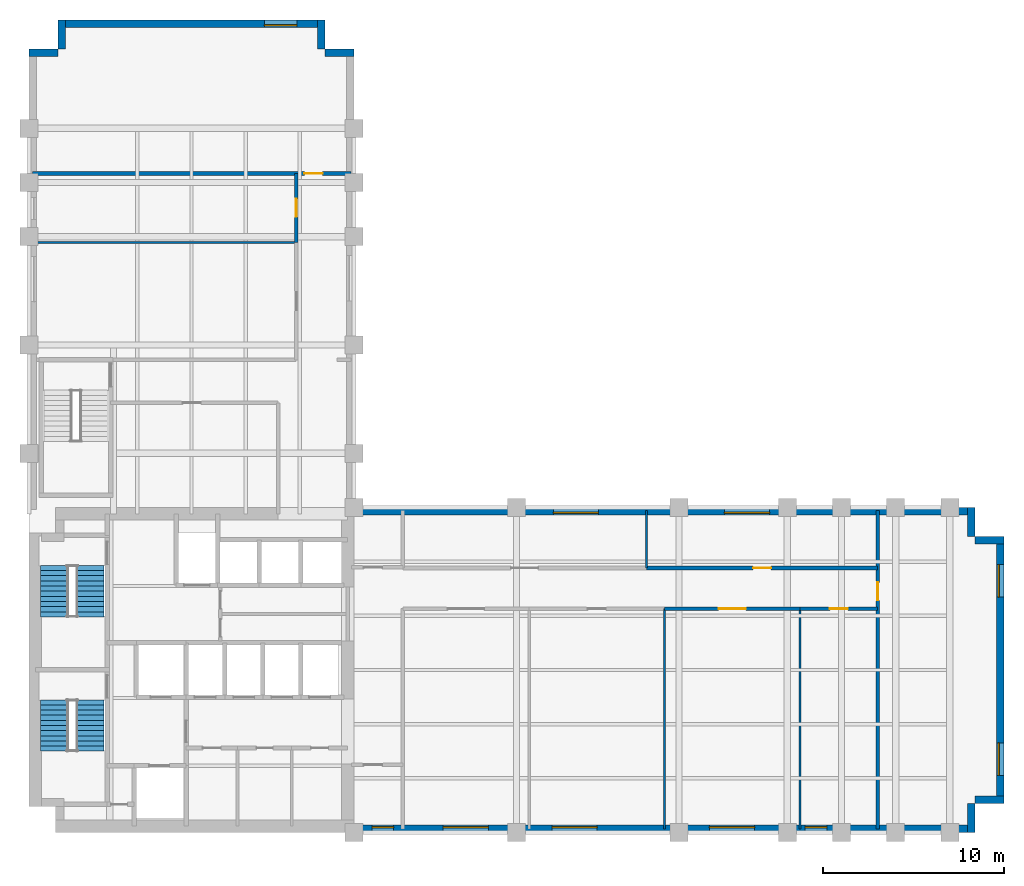
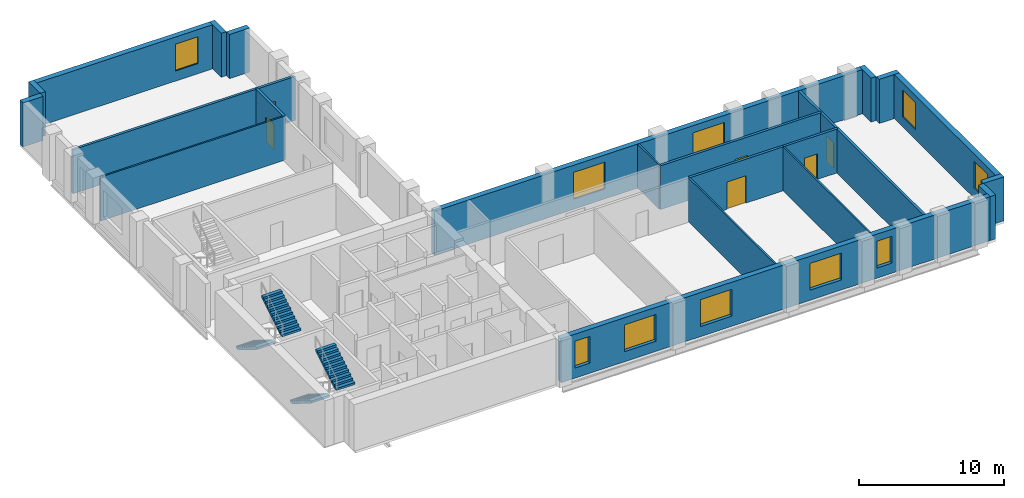
# One storey, part 5 of 7: 22 walls, 10 windows, 6 doors, 4 stair flights, 16 openings, 2 elements without a shape of their own.
"""IFC4 building model written with IfcOpenShell, lengths in metres."""

import ifcopenshell
import ifcopenshell.guid

model = None  # the IFC model being written
_history = None  # IfcOwnerHistory: only IFC2X3 demands one
_inside = {}  # id of a spatial element -> (the spatial element, [elements in it])
_under = {}  # id of a project, library or spatial element -> (it, [spatial elements below it])
_declared = {}  # id of a project -> (the project, [libraries it declares])
_typed = {}  # id of a type object -> (the type object, [elements of that type])
_made_of = {}  # id of a material, layer set ... -> (it, [elements and type objects made of it])


def new_model(schema):
    """Start an empty IFC model of exactly this schema.

    Asked for "IFC4X3", IfcOpenShell would pick the latest addendum, in which some entities
    have other attributes; the version numbers below select the first issue.
    IFC2X3 requires an IfcOwnerHistory on every rooted entity: one is made here for all.
    """
    global model, _history
    if schema == "IFC4X3":
        model = ifcopenshell.file(schema_version=(4, 3, 0, 0))
    else:
        model = ifcopenshell.file(schema=schema)
    _inside.clear()
    _under.clear()
    _declared.clear()
    _typed.clear()
    _made_of.clear()
    _history = None
    if model.schema == "IFC2X3":
        org = make("IfcOrganization", Name="unknown")
        user = make(
            "IfcPersonAndOrganization",
            ThePerson=make("IfcPerson", FamilyName="unknown"),
            TheOrganization=org,
        )
        app = make(
            "IfcApplication",
            ApplicationDeveloper=org,
            Version="unknown",
            ApplicationFullName="unknown",
            ApplicationIdentifier="unknown",
        )
        _history = make(
            "IfcOwnerHistory",
            OwningUser=user,
            OwningApplication=app,
            ChangeAction="ADDED",
            CreationDate=0,
        )
    return model


def make(cls, **values):
    """One entity of the class cls with the attributes given. An attribute that is None is left unset."""
    return model.create_entity(
        cls, **{name: value for name, value in values.items() if value is not None}
    )


def rooted(cls, **values):
    """An entity with a GlobalId (a new one), such as an element, a storey or a relation."""
    return make(cls, GlobalId=ifcopenshell.guid.new(), OwnerHistory=_history, **values)


def si_unit(unit_type, name, prefix=None):
    """IfcSIUnit, for example si_unit("LENGTHUNIT", "METRE", prefix="MILLI")."""
    return make("IfcSIUnit", UnitType=unit_type, Prefix=prefix, Name=name)


def assignment(units):
    """IfcUnitAssignment: the units of a project."""
    return None if units is None else make("IfcUnitAssignment", Units=units)


def point(xyz):
    """IfcCartesianPoint."""
    return None if xyz is None else make("IfcCartesianPoint", Coordinates=xyz)


def direction(xyz):
    """IfcDirection."""
    return None if xyz is None else make("IfcDirection", DirectionRatios=xyz)


def frame(location, z_axis=None, x_axis=None):
    """IfcAxis2Placement3D, a coordinate frame: its origin and axes. An axis left out is left unset."""
    return make(
        "IfcAxis2Placement3D",
        Location=point(location),
        Axis=direction(z_axis),
        RefDirection=direction(x_axis),
    )


def frame_2d(location, x_axis=None):
    """IfcAxis2Placement2D, a coordinate frame in the plane: its origin and x axis."""
    return make(
        "IfcAxis2Placement2D", Location=point(location), RefDirection=direction(x_axis)
    )


def origin():
    """The frame at (0, 0, 0) with its axes left unset."""
    return frame((0.0, 0.0, 0.0))


def place(relative_to, where):
    """IfcLocalPlacement: puts the frame where relative to a parent placement (None: the world)."""
    return make(
        "IfcLocalPlacement", PlacementRelTo=relative_to, RelativePlacement=where
    )


def context(
    kind, dimensions, precision=None, world=None, true_north=None, identifier=None
):
    """IfcGeometricRepresentationContext, for example the 3D "Model" context."""
    return make(
        "IfcGeometricRepresentationContext",
        ContextIdentifier=identifier,
        ContextType=kind,
        CoordinateSpaceDimension=dimensions,
        Precision=precision,
        WorldCoordinateSystem=world,
        TrueNorth=true_north,
    )


def subcontext(parent, identifier, kind, view, scale=None):
    """IfcGeometricRepresentationSubContext, for example "Body" below "Model"."""
    return make(
        "IfcGeometricRepresentationSubContext",
        ContextIdentifier=identifier,
        ContextType=kind,
        ParentContext=parent,
        TargetScale=scale,
        TargetView=view,
    )


def project(units=None, contexts=None):
    """IfcProject with its units and contexts."""
    return rooted(
        "IfcProject",
        Name="project",
        RepresentationContexts=contexts,
        UnitsInContext=assignment(units),
    )


def spatial(cls, under=None, at=None, **own):
    """A site, building, storey or space (cls), placed at a placement, below another one or the project."""
    s = rooted(cls, ObjectPlacement=at, **own)
    if under is not None:
        _under.setdefault(under.id(), (under, []))[1].append(s)
    return s


def polyline(points):
    """IfcPolyline through the points."""
    return make("IfcPolyline", Points=[point(p) for p in points])


def profile(cls, at=None, kind="AREA", **sizes):
    """A parametric profile (cls). Its sizes go by their IFC names, for example OverallWidth=200.0."""
    return make(cls, ProfileType=kind, Position=at, **sizes)


def rectangle(**sizes):
    """IfcRectangleProfileDef."""
    return profile("IfcRectangleProfileDef", **sizes)


def outline(outer, holes=None, kind="AREA"):
    """IfcArbitraryClosedProfileDef: a profile drawn as a closed curve; with holes, ...WithVoids."""
    if holes is None:
        return make("IfcArbitraryClosedProfileDef", ProfileType=kind, OuterCurve=outer)
    return make(
        "IfcArbitraryProfileDefWithVoids",
        ProfileType=kind,
        OuterCurve=outer,
        InnerCurves=holes,
    )


def extrude(swept, where, along, depth):
    """IfcExtrudedAreaSolid: the profile swept, set in the frame where, extruded along a direction by depth."""
    return make(
        "IfcExtrudedAreaSolid",
        SweptArea=swept,
        Position=where,
        ExtrudedDirection=direction(along),
        Depth=depth,
    )


def shape(context_of_items, identifier, shape_type, items):
    """IfcShapeRepresentation: the items that make up one representation, for example the "Body"."""
    return make(
        "IfcShapeRepresentation",
        ContextOfItems=context_of_items,
        RepresentationIdentifier=identifier,
        RepresentationType=shape_type,
        Items=items,
    )


def material(Name=None, Category=None):
    """IfcMaterial."""
    return make("IfcMaterial", Name=Name, Category=Category)


def layer(
    of_material, thickness, ventilated=None, Name=None, Category=None, Priority=None
):
    """IfcMaterialLayer: one layer of a wall or slab, of a material (None: an air gap)."""
    return make(
        "IfcMaterialLayer",
        Material=of_material,
        LayerThickness=thickness,
        IsVentilated=ventilated,
        Name=Name,
        Category=Category,
        Priority=Priority,
    )


def layer_set(layers, Name=None):
    """IfcMaterialLayerSet."""
    return make("IfcMaterialLayerSet", MaterialLayers=layers, LayerSetName=Name)


def made_of(thing, what):
    """Note that an element or type object is made of a material, layer set ...; save() writes the relation."""
    if what is not None:
        _made_of.setdefault(what.id(), (what, []))[1].append(thing)
    return thing


def type_object(cls, material=None, **own):
    """A type object (cls), such as IfcWallType, which elements share."""
    return made_of(rooted(cls, **own), material)


def element(
    cls,
    number,
    at=None,
    inside=None,
    cuts=None,
    type_object=None,
    material=None,
    context=None,
    identifier="Body",
    shape_type=None,
    held_by="IfcProductDefinitionShape",
    body=None,
    shapes=None,
    **own,
):
    """One element of the class cls, such as IfcWall. Its Tag is "e" and its number.

    at: its placement. inside: the storey or other place that contains it. cuts: it is an
    opening in that element (IfcRelVoidsElement). A single representation is given by context,
    identifier, shape_type and body (its items); several are given by shapes. held_by: the class
    of the entity that holds the representations. save() writes the other relations.
    """
    e = rooted(cls, Tag="e%d" % number, ObjectPlacement=at, **own)
    if body is not None:
        shapes = [shape(context, identifier, shape_type, body)]
    if shapes is not None:
        e.Representation = make(held_by, Representations=shapes)
    if inside is not None:
        _inside.setdefault(inside.id(), (inside, []))[1].append(e)
    if cuts is not None:
        rooted(
            "IfcRelVoidsElement", RelatingBuildingElement=cuts, RelatedOpeningElement=e
        )
    if type_object is not None:
        _typed.setdefault(type_object.id(), (type_object, []))[1].append(e)
    return made_of(e, material)


def fill(opening, filler):
    """IfcRelFillsElement: the door or window that sits in an opening."""
    return rooted(
        "IfcRelFillsElement",
        RelatingOpeningElement=opening,
        RelatedBuildingElement=filler,
    )


def aggregate(whole, parts):
    """IfcRelAggregates: a whole, such as a stair, and the parts it consists of."""
    return rooted("IfcRelAggregates", RelatingObject=whole, RelatedObjects=parts)


def save(model, path):
    """Write the relations noted so far, then the file.

    IfcRelAggregates (storeys below a building ...), IfcRelContainedInSpatialStructure (elements
    in a storey), IfcRelDefinesByType, IfcRelAssociatesMaterial and IfcRelDeclares: one each for
    every whole, place, type object, material and project.
    """
    for whole, parts in _under.values():
        aggregate(whole, parts)
    for where, things in _inside.values():
        rooted(
            "IfcRelContainedInSpatialStructure",
            RelatedElements=things,
            RelatingStructure=where,
        )
    for kind, things in _typed.values():
        rooted("IfcRelDefinesByType", RelatedObjects=things, RelatingType=kind)
    for what, things in _made_of.values():
        rooted("IfcRelAssociatesMaterial", RelatedObjects=things, RelatingMaterial=what)
    for by, libraries in _declared.values():
        rooted("IfcRelDeclares", RelatingContext=by, RelatedDefinitions=libraries)
    model.write(path)


model = new_model("IFC4")

# Units and contexts
model_context = context("Model", 3, precision=1e-05, world=origin(), true_north=direction((0.0, 1.0)))
body_context = subcontext(model_context, "Body", "Model", "MODEL_VIEW")
ifc_project = project(units=[si_unit("LENGTHUNIT", "METRE"), si_unit("AREAUNIT", "SQUARE_METRE"), si_unit("VOLUMEUNIT", "CUBIC_METRE"), si_unit("PLANEANGLEUNIT", "RADIAN"), si_unit("MASSUNIT", "GRAM", prefix="KILO")], contexts=[model_context])

# Site, building, storey
site_placement = place(None, origin())
site = spatial("IfcSite", under=ifc_project, at=site_placement, CompositionType="ELEMENT")
building_placement = place(site_placement, origin())
building = spatial("IfcBuilding", under=site, at=building_placement, Name="Mawjdan Bourse Tower", CompositionType="ELEMENT")
storey_placement = place(building_placement, frame((0.0, 0.0, 136.199951171875)))
storey = spatial("IfcBuildingStorey", under=building, at=storey_placement, Name="L32", CompositionType="ELEMENT", Elevation=136.199951171875)

# Wall, openings, windows
ifc_material_1 = material(Name="Brick Masonry Buff", Category="masonry")
ifc_layer_1 = layer(ifc_material_1, 0.419921875)
ifc_layer_set_1 = layer_set([ifc_layer_1], Name="Brick Masonry Buff")
wall_type_1 = type_object("IfcWallType", Name="WL-BRK-BUFF-420", PredefinedType="STANDARD", material=ifc_layer_set_1)
wall_1_placement = place(storey_placement, frame((23.89990234375, 3.2099609375, 0.0), z_axis=(0.0, 0.0, 1.0), x_axis=(1.0, 0.0, 0.0)))
wall_1 = element("IfcWall", 1, at=wall_1_placement, inside=storey, type_object=wall_type_1, Name="L32 Exterior Brick Wall 1", PredefinedType="STANDARD", context=body_context, shape_type="SweptSolid", body=[
    extrude(rectangle(XDim=34.5, YDim=0.419921875, at=frame_2d((17.25, 0.0))), origin(), (0.0, 0.0, 1.0), 3.699951171875),
])
opening_1_placement = place(wall_1_placement, frame((11.0712890625, 0.0, 0.85009765625)))
opening_1 = element("IfcOpeningElement", 2, at=opening_1_placement, cuts=wall_1, Name="Opening W-L32-01", PredefinedType="OPENING", context=body_context, shape_type="SweptSolid", body=[
    extrude(rectangle(XDim=2.5, YDim=2.25, at=frame_2d((1.25, 1.125))), frame((0.0, 0.219970703125, 0.0), z_axis=(0.0, -1.0, 0.0), x_axis=(1.0, 0.0, 0.0)), (0.0, 0.0, 1.0), 0.43994140625),
])
opening_2_placement = place(wall_1_placement, frame((1.10009765625, 0.0, 0.85009765625)))
opening_2 = element("IfcOpeningElement", 3, at=opening_2_placement, cuts=wall_1, Name="Opening W-L32-08", PredefinedType="OPENING", context=body_context, shape_type="SweptSolid", body=[
    extrude(rectangle(XDim=1.199951171875, YDim=2.25, at=frame_2d((0.60009765625, 1.125))), frame((0.0, 0.219970703125, 0.0), z_axis=(0.0, -1.0, 0.0), x_axis=(1.0, 0.0, 0.0)), (0.0, 0.0, 1.0), 0.43994140625),
])
opening_3_placement = place(wall_1_placement, frame((5.0361328125, 0.0, 0.85009765625)))
opening_3 = element("IfcOpeningElement", 4, at=opening_3_placement, cuts=wall_1, Name="Opening W-L32-09", PredefinedType="OPENING", context=body_context, shape_type="SweptSolid", body=[
    extrude(rectangle(XDim=2.5, YDim=2.25, at=frame_2d((1.25, 1.125))), frame((0.0, 0.219970703125, 0.0), z_axis=(0.0, -1.0, 0.0), x_axis=(1.0, 0.0, 0.0)), (0.0, 0.0, 1.0), 0.43994140625),
])
opening_4_placement = place(wall_1_placement, frame((19.7861328125, 0.0, 0.85009765625)))
opening_4 = element("IfcOpeningElement", 5, at=opening_4_placement, cuts=wall_1, Name="Opening W-L32-10", PredefinedType="OPENING", context=body_context, shape_type="SweptSolid", body=[
    extrude(rectangle(XDim=2.5, YDim=2.25, at=frame_2d((1.25, 1.125))), frame((0.0, 0.219970703125, 0.0), z_axis=(0.0, -1.0, 0.0), x_axis=(1.0, 0.0, 0.0)), (0.0, 0.0, 1.0), 0.43994140625),
])
opening_5_placement = place(wall_1_placement, frame((25.086181640625, 0.0, 0.85009765625)))
opening_5 = element("IfcOpeningElement", 6, at=opening_5_placement, cuts=wall_1, Name="Opening W-L32-11", PredefinedType="OPENING", context=body_context, shape_type="SweptSolid", body=[
    extrude(rectangle(XDim=1.199951171875, YDim=2.25, at=frame_2d((0.60009765625, 1.125))), frame((0.0, 0.219970703125, 0.0), z_axis=(0.0, -1.0, 0.0), x_axis=(1.0, 0.0, 0.0)), (0.0, 0.0, 1.0), 0.43994140625),
])
ifc_material_2 = material(Name="Solar-Control Clear Double Glazing", Category="glass")
window_type_1 = type_object("IfcWindowType", Name="WN-Z2-1200", PartitioningType="SINGLE_PANEL", PredefinedType="WINDOW", material=ifc_material_2)
window_1_placement = place(opening_2_placement, origin())
window_1 = element("IfcWindow", 7, at=window_1_placement, inside=storey, type_object=window_type_1, Name="L32 Deep-Set Masonry Window W-L32-08", OverallHeight=2.25, OverallWidth=1.199951171875, PartitioningType="SINGLE_PANEL", PredefinedType="WINDOW", context=body_context, shape_type="SweptSolid", body=[
    extrude(rectangle(XDim=1.199951171875, YDim=2.25, at=frame_2d((0.60009765625, 1.125))), frame((0.0, 0.110107421875, 0.0), z_axis=(0.0, -1.0, 0.0), x_axis=(1.0, 0.0, 0.0)), (0.0, 0.0, 1.0), 0.06005859375),
])
fill(opening_2, window_1)
window_2_placement = place(opening_5_placement, origin())
window_2 = element("IfcWindow", 8, at=window_2_placement, inside=storey, type_object=window_type_1, Name="L32 Deep-Set Masonry Window W-L32-11", OverallHeight=2.25, OverallWidth=1.199951171875, PartitioningType="SINGLE_PANEL", PredefinedType="WINDOW", context=body_context, shape_type="SweptSolid", body=[
    extrude(rectangle(XDim=1.199951171875, YDim=2.25, at=frame_2d((0.60009765625, 1.125))), frame((0.0, 0.110107421875, 0.0), z_axis=(0.0, -1.0, 0.0), x_axis=(1.0, 0.0, 0.0)), (0.0, 0.0, 1.0), 0.06005859375),
])
fill(opening_5, window_2)
window_type_2 = type_object("IfcWindowType", Name="WN-Z2-2500", PartitioningType="SINGLE_PANEL", PredefinedType="WINDOW", material=ifc_material_2)
window_3_placement = place(opening_1_placement, origin())
window_3 = element("IfcWindow", 9, at=window_3_placement, inside=storey, type_object=window_type_2, Name="L32 Deep-Set Masonry Window W-L32-01", OverallHeight=2.25, OverallWidth=2.5, PartitioningType="SINGLE_PANEL", PredefinedType="WINDOW", context=body_context, shape_type="SweptSolid", body=[
    extrude(rectangle(XDim=2.5, YDim=2.25, at=frame_2d((1.25, 1.125))), frame((0.0, 0.110107421875, 0.0), z_axis=(0.0, -1.0, 0.0), x_axis=(1.0, 0.0, 0.0)), (0.0, 0.0, 1.0), 0.06005859375),
])
fill(opening_1, window_3)
window_4_placement = place(opening_3_placement, origin())
window_4 = element("IfcWindow", 10, at=window_4_placement, inside=storey, type_object=window_type_2, Name="L32 Deep-Set Masonry Window W-L32-09", OverallHeight=2.25, OverallWidth=2.5, PartitioningType="SINGLE_PANEL", PredefinedType="WINDOW", context=body_context, shape_type="SweptSolid", body=[
    extrude(rectangle(XDim=2.5, YDim=2.25, at=frame_2d((1.25, 1.125))), frame((0.0, 0.110107421875, 0.0), z_axis=(0.0, -1.0, 0.0), x_axis=(1.0, 0.0, 0.0)), (0.0, 0.0, 1.0), 0.06005859375),
])
fill(opening_3, window_4)
window_5_placement = place(opening_4_placement, origin())
window_5 = element("IfcWindow", 11, at=window_5_placement, inside=storey, type_object=window_type_2, Name="L32 Deep-Set Masonry Window W-L32-10", OverallHeight=2.25, OverallWidth=2.5, PartitioningType="SINGLE_PANEL", PredefinedType="WINDOW", context=body_context, shape_type="SweptSolid", body=[
    extrude(rectangle(XDim=2.5, YDim=2.25, at=frame_2d((1.25, 1.125))), frame((0.0, 0.110107421875, 0.0), z_axis=(0.0, -1.0, 0.0), x_axis=(1.0, 0.0, 0.0)), (0.0, 0.0, 1.0), 0.06005859375),
])
fill(opening_4, window_5)

# Walls
for number, where, z_axis, x_axis, name in (
    (12, (58.18994140625, 3.0, 0.0), (0.0, 0.0, 1.0), (0.0, 1.0, 0.0), "L32 Exterior Brick Wall 2"),
    (13, (58.39990234375, 4.81005859375, 0.0), (0.0, 0.0, 1.0), (1.0, 0.0, 0.0), "L32 Exterior Brick Wall 3"),
):
    element("IfcWall", number, at=place(storey_placement, frame(where, z_axis=z_axis, x_axis=x_axis)), inside=storey, type_object=wall_type_1, Name=name, PredefinedType="STANDARD", context=body_context, shape_type="SweptSolid", body=[
        extrude(rectangle(XDim=1.60009765625, YDim=0.419921875, at=frame_2d((0.800048828125, 0.0))), origin(), (0.0, 0.0, 1.0), 3.699951171875),
    ])

# Wall, openings, windows
wall_2_placement = place(storey_placement, frame((59.7900390625, 4.60009765625, 0.0), z_axis=(0.0, 0.0, 1.0), x_axis=(0.0, 1.0, 0.0)))
wall_2 = element("IfcWall", 14, at=wall_2_placement, inside=storey, type_object=wall_type_1, Name="L32 Exterior Brick Wall 4", PredefinedType="STANDARD", context=body_context, shape_type="SweptSolid", body=[
    extrude(rectangle(XDim=14.7998046875, YDim=0.419921875, at=frame_2d((7.39990234375, 0.0))), origin(), (0.0, 0.0, 1.0), 3.699951171875),
])
opening_6_placement = place(wall_2_placement, frame((1.566650390625, 0.0, 0.85009765625)))
opening_6 = element("IfcOpeningElement", 15, at=opening_6_placement, cuts=wall_2, Name="Opening W-L32-02", PredefinedType="OPENING", context=body_context, shape_type="SweptSolid", body=[
    extrude(rectangle(XDim=1.800048828125, YDim=2.25, at=frame_2d((0.89990234375, 1.125))), frame((0.0, 0.219970703125, 0.0), z_axis=(0.0, -1.0, 0.0), x_axis=(1.0, 0.0, 0.0)), (0.0, 0.0, 1.0), 0.43994140625),
])
opening_7_placement = place(wall_2_placement, frame((11.433349609375, 0.0, 0.85009765625)))
opening_7 = element("IfcOpeningElement", 16, at=opening_7_placement, cuts=wall_2, Name="Opening W-L32-03", PredefinedType="OPENING", context=body_context, shape_type="SweptSolid", body=[
    extrude(rectangle(XDim=1.800048828125, YDim=2.25, at=frame_2d((0.89990234375, 1.125))), frame((0.0, 0.219970703125, 0.0), z_axis=(0.0, -1.0, 0.0), x_axis=(1.0, 0.0, 0.0)), (0.0, 0.0, 1.0), 0.43994140625),
])
window_type_3 = type_object("IfcWindowType", Name="WN-Z2-1800", PartitioningType="SINGLE_PANEL", PredefinedType="WINDOW", material=ifc_material_2)
window_6_placement = place(opening_6_placement, origin())
window_6 = element("IfcWindow", 17, at=window_6_placement, inside=storey, type_object=window_type_3, Name="L32 Deep-Set Masonry Window W-L32-02", OverallHeight=2.25, OverallWidth=1.800048828125, PartitioningType="SINGLE_PANEL", PredefinedType="WINDOW", context=body_context, shape_type="SweptSolid", body=[
    extrude(rectangle(XDim=1.800048828125, YDim=2.25, at=frame_2d((0.89990234375, 1.125))), frame((0.0, 0.110107421875, 0.0), z_axis=(0.0, -1.0, 0.0), x_axis=(1.0, 0.0, 0.0)), (0.0, 0.0, 1.0), 0.06005859375),
])
fill(opening_6, window_6)
window_7_placement = place(opening_7_placement, origin())
window_7 = element("IfcWindow", 18, at=window_7_placement, inside=storey, type_object=window_type_3, Name="L32 Deep-Set Masonry Window W-L32-03", OverallHeight=2.25, OverallWidth=1.800048828125, PartitioningType="SINGLE_PANEL", PredefinedType="WINDOW", context=body_context, shape_type="SweptSolid", body=[
    extrude(rectangle(XDim=1.800048828125, YDim=2.25, at=frame_2d((0.89990234375, 1.125))), frame((0.0, 0.110107421875, 0.0), z_axis=(0.0, -1.0, 0.0), x_axis=(1.0, 0.0, 0.0)), (0.0, 0.0, 1.0), 0.06005859375),
])
fill(opening_7, window_7)

# Walls
for number, where, z_axis, x_axis, name in (
    (19, (60.0, 19.18994140625, 0.0), (0.0, 0.0, 1.0), (-1.0, 0.0, 0.0), "L32 Exterior Brick Wall 5"),
    (20, (58.18994140625, 19.39990234375, 0.0), (0.0, 0.0, 1.0), (0.0, 1.0, 0.0), "L32 Exterior Brick Wall 6"),
):
    element("IfcWall", number, at=place(storey_placement, frame(where, z_axis=z_axis, x_axis=x_axis)), inside=storey, type_object=wall_type_1, Name=name, PredefinedType="STANDARD", context=body_context, shape_type="SweptSolid", body=[
        extrude(rectangle(XDim=1.60009765625, YDim=0.419921875, at=frame_2d((0.800048828125, 0.0))), origin(), (0.0, 0.0, 1.0), 3.699951171875),
    ])

# Wall, openings, windows
wall_3_placement = place(storey_placement, frame((58.39990234375, 20.7900390625, 0.0), z_axis=(0.0, 0.0, 1.0), x_axis=(-1.0, 0.0, 0.0)))
wall_3 = element("IfcWall", 21, at=wall_3_placement, inside=storey, type_object=wall_type_1, Name="L32 Exterior Brick Wall 7", PredefinedType="STANDARD", context=body_context, shape_type="SweptSolid", body=[
    extrude(rectangle(XDim=34.39990234375, YDim=0.419921875, at=frame_2d((17.199951171875, 0.0))), origin(), (0.0, 0.0, 1.0), 3.699951171875),
])
opening_8_placement = place(wall_3_placement, frame((20.8642578125, 0.0, 0.85009765625)))
opening_8 = element("IfcOpeningElement", 22, at=opening_8_placement, cuts=wall_3, Name="Opening W-L32-04", PredefinedType="OPENING", context=body_context, shape_type="SweptSolid", body=[
    extrude(rectangle(XDim=2.5, YDim=2.25, at=frame_2d((1.25, 1.125))), frame((0.0, 0.219970703125, 0.0), z_axis=(0.0, -1.0, 0.0), x_axis=(1.0, 0.0, 0.0)), (0.0, 0.0, 1.0), 0.43994140625),
])
opening_9_placement = place(wall_3_placement, frame((11.38623046875, 0.0, 0.85009765625)))
opening_9 = element("IfcOpeningElement", 23, at=opening_9_placement, cuts=wall_3, Name="Opening W-L32-12", PredefinedType="OPENING", context=body_context, shape_type="SweptSolid", body=[
    extrude(rectangle(XDim=2.5, YDim=2.25, at=frame_2d((1.25, 1.125))), frame((0.0, 0.219970703125, 0.0), z_axis=(0.0, -1.0, 0.0), x_axis=(1.0, 0.0, 0.0)), (0.0, 0.0, 1.0), 0.43994140625),
])
window_8_placement = place(opening_8_placement, origin())
window_8 = element("IfcWindow", 24, at=window_8_placement, inside=storey, type_object=window_type_2, Name="L32 Deep-Set Masonry Window W-L32-04", OverallHeight=2.25, OverallWidth=2.5, PartitioningType="SINGLE_PANEL", PredefinedType="WINDOW", context=body_context, shape_type="SweptSolid", body=[
    extrude(rectangle(XDim=2.5, YDim=2.25, at=frame_2d((1.25, 1.125))), frame((0.0, 0.110107421875, 0.0), z_axis=(0.0, -1.0, 0.0), x_axis=(1.0, 0.0, 0.0)), (0.0, 0.0, 1.0), 0.06005859375),
])
fill(opening_8, window_8)
window_9_placement = place(opening_9_placement, origin())
window_9 = element("IfcWindow", 25, at=window_9_placement, inside=storey, type_object=window_type_2, Name="L32 Deep-Set Masonry Window W-L32-12", OverallHeight=2.25, OverallWidth=2.5, PartitioningType="SINGLE_PANEL", PredefinedType="WINDOW", context=body_context, shape_type="SweptSolid", body=[
    extrude(rectangle(XDim=2.5, YDim=2.25, at=frame_2d((1.25, 1.125))), frame((0.0, 0.110107421875, 0.0), z_axis=(0.0, -1.0, 0.0), x_axis=(1.0, 0.0, 0.0)), (0.0, 0.0, 1.0), 0.06005859375),
])
fill(opening_9, window_9)

# Walls
for number, where, z_axis, x_axis, name in (
    (26, (24.0, 46.18994140625, 0.0), (0.0, 0.0, 1.0), (-1.0, 0.0, 0.0), "L32 Exterior Brick Wall 9"),
    (27, (22.18994140625, 46.39990234375, 0.0), (0.0, 0.0, 1.0), (0.0, 1.0, 0.0), "L32 Exterior Brick Wall 10"),
):
    element("IfcWall", number, at=place(storey_placement, frame(where, z_axis=z_axis, x_axis=x_axis)), inside=storey, type_object=wall_type_1, Name=name, PredefinedType="STANDARD", context=body_context, shape_type="SweptSolid", body=[
        extrude(rectangle(XDim=1.60009765625, YDim=0.419921875, at=frame_2d((0.800048828125, 0.0))), origin(), (0.0, 0.0, 1.0), 3.699951171875),
    ])

# Wall, opening, window
wall_4_placement = place(storey_placement, frame((22.39990234375, 47.7900390625, 0.0), z_axis=(0.0, 0.0, 1.0), x_axis=(-1.0, 0.0, 0.0)))
wall_4 = element("IfcWall", 28, at=wall_4_placement, inside=storey, type_object=wall_type_1, Name="L32 Exterior Brick Wall 11", PredefinedType="STANDARD", context=body_context, shape_type="SweptSolid", body=[
    extrude(rectangle(XDim=14.7998046875, YDim=0.419921875, at=frame_2d((7.39990234375, 0.0))), origin(), (0.0, 0.0, 1.0), 3.699951171875),
])
opening_10_placement = place(wall_4_placement, frame((1.566650390625, 0.0, 0.85009765625)))
opening_10 = element("IfcOpeningElement", 29, at=opening_10_placement, cuts=wall_4, Name="Opening W-L32-06", PredefinedType="OPENING", context=body_context, shape_type="SweptSolid", body=[
    extrude(rectangle(XDim=1.800048828125, YDim=2.25, at=frame_2d((0.89990234375, 1.125))), frame((0.0, 0.219970703125, 0.0), z_axis=(0.0, -1.0, 0.0), x_axis=(1.0, 0.0, 0.0)), (0.0, 0.0, 1.0), 0.43994140625),
])
window_10_placement = place(opening_10_placement, origin())
window_10 = element("IfcWindow", 30, at=window_10_placement, inside=storey, type_object=window_type_3, Name="L32 Deep-Set Masonry Window W-L32-06", OverallHeight=2.25, OverallWidth=1.800048828125, PartitioningType="SINGLE_PANEL", PredefinedType="WINDOW", context=body_context, shape_type="SweptSolid", body=[
    extrude(rectangle(XDim=1.800048828125, YDim=2.25, at=frame_2d((0.89990234375, 1.125))), frame((0.0, 0.110107421875, 0.0), z_axis=(0.0, -1.0, 0.0), x_axis=(1.0, 0.0, 0.0)), (0.0, 0.0, 1.0), 0.06005859375),
])
fill(opening_10, window_10)

# Walls
for number, where, z_axis, x_axis, name in (
    (31, (7.81005859375, 48.0, 0.0), (0.0, 0.0, 1.0), (0.0, -1.0, 0.0), "L32 Exterior Brick Wall 12"),
    (32, (7.60009765625, 46.18994140625, 0.0), (0.0, 0.0, 1.0), (-1.0, 0.0, 0.0), "L32 Exterior Brick Wall 13"),
):
    element("IfcWall", number, at=place(storey_placement, frame(where, z_axis=z_axis, x_axis=x_axis)), inside=storey, type_object=wall_type_1, Name=name, PredefinedType="STANDARD", context=body_context, shape_type="SweptSolid", body=[
        extrude(rectangle(XDim=1.60009765625, YDim=0.419921875, at=frame_2d((0.800048828125, 0.0))), origin(), (0.0, 0.0, 1.0), 3.699951171875),
    ])

# Wall, opening, door
ifc_material_3 = material(Name="Gypsum Fireboard Assembly")
ifc_layer_2 = layer(ifc_material_3, 0.199951171875)
ifc_layer_set_2 = layer_set([ifc_layer_2], Name="Gypsum Fireboard Assembly")
wall_type_2 = type_object("IfcWallType", Name="WL-CMP-200", PredefinedType="PARTITIONING", material=ifc_layer_set_2)
wall_5_placement = place(storey_placement, frame((41.199951171875, 15.39990234375, 0.0), z_axis=(0.0, 0.0, 1.0), x_axis=(1.0, 0.0, 0.0)))
wall_5 = element("IfcWall", 33, at=wall_5_placement, inside=storey, type_object=wall_type_2, Name="L32 Conference Room Corridor Wall", PredefinedType="PARTITIONING", context=body_context, shape_type="SweptSolid", body=[
    extrude(rectangle(XDim=7.5, YDim=0.199951171875, at=frame_2d((3.75, 0.0))), origin(), (0.0, 0.0, 1.0), 3.68994140625),
])
opening_11_placement = place(wall_5_placement, frame((3.0, 0.0, 0.0)))
opening_11 = element("IfcOpeningElement", 34, at=opening_11_placement, cuts=wall_5, Name="Opening D-L32-24", PredefinedType="OPENING", context=body_context, shape_type="SweptSolid", body=[
    extrude(rectangle(XDim=1.5, YDim=2.300048828125, at=frame_2d((0.75, 1.14990234375))), frame((0.0, 0.10986328125, 0.0), z_axis=(0.0, -1.0, 0.0), x_axis=(1.0, 0.0, 0.0)), (0.0, 0.0, 1.0), 0.219970703125),
])
ifc_material_4 = material(Name="Acoustic Glazed Timber", Category="wood")
door_type_1 = type_object("IfcDoorType", Name="DR-CNF-1500", OperationType="DOUBLE_DOOR_SINGLE_SWING", PredefinedType="DOOR", material=ifc_material_4)
door_1_placement = place(opening_11_placement, origin())
door_1 = element("IfcDoor", 35, at=door_1_placement, inside=storey, type_object=door_type_1, Name="L32 Conference Room Door D-L32-24", OperationType="DOUBLE_DOOR_SINGLE_SWING", OverallHeight=2.300048828125, OverallWidth=1.5, PredefinedType="DOOR", context=body_context, shape_type="SweptSolid", body=[
    extrude(rectangle(XDim=1.5, YDim=2.300048828125, at=frame_2d((0.75, 1.14990234375))), frame((0.0, 0.02490234375, 0.0), z_axis=(0.0, -1.0, 0.0), x_axis=(1.0, 0.0, 0.0)), (0.0, 0.0, 1.0), 0.050048828125),
])
fill(opening_11, door_1)

wall_6_placement = place(storey_placement, frame((48.699951171875, 15.39990234375, 0.0), z_axis=(0.0, 0.0, 1.0), x_axis=(1.0, 0.0, 0.0)))
wall_6 = element("IfcWall", 36, at=wall_6_placement, inside=storey, type_object=wall_type_2, Name="L32 Training Room Corridor Wall", PredefinedType="PARTITIONING", context=body_context, shape_type="SweptSolid", body=[
    extrude(rectangle(XDim=4.300048828125, YDim=0.199951171875, at=frame_2d((2.14990234375, 0.0))), origin(), (0.0, 0.0, 1.0), 3.68994140625),
])
opening_12_placement = place(wall_6_placement, frame((1.64990234375, 0.0, 0.0)))
opening_12 = element("IfcOpeningElement", 37, at=opening_12_placement, cuts=wall_6, Name="Opening D-L32-25", PredefinedType="OPENING", context=body_context, shape_type="SweptSolid", body=[
    extrude(rectangle(XDim=1.0, YDim=2.14990234375, at=frame_2d((0.5, 1.074951171875))), frame((0.0, 0.10986328125, 0.0), z_axis=(0.0, -1.0, 0.0), x_axis=(1.0, 0.0, 0.0)), (0.0, 0.0, 1.0), 0.219970703125),
])
ifc_material_5 = material(Name="Hardwood Acoustic Leaf", Category="wood")
door_type_2 = type_object("IfcDoorType", Name="DR-OFC-1000", OperationType="NOTDEFINED", PredefinedType="DOOR", material=ifc_material_5)
door_2_placement = place(opening_12_placement, origin())
door_2 = element("IfcDoor", 38, at=door_2_placement, inside=storey, type_object=door_type_2, Name="L32 Training Room Door D-L32-25", OperationType="SINGLE_SWING_RIGHT", OverallHeight=2.14990234375, OverallWidth=1.0, PredefinedType="DOOR", context=body_context, shape_type="SweptSolid", body=[
    extrude(rectangle(XDim=1.0, YDim=2.14990234375, at=frame_2d((0.5, 1.074951171875))), frame((0.0, 0.02490234375, 0.0), z_axis=(0.0, -1.0, 0.0), x_axis=(1.0, 0.0, 0.0)), (0.0, 0.0, 1.0), 0.050048828125),
])
fill(opening_12, door_2)

wall_7_placement = place(storey_placement, frame((40.199951171875, 17.64990234375, 0.0), z_axis=(0.0, 0.0, 1.0), x_axis=(1.0, 0.0, 0.0)))
wall_7 = element("IfcWall", 39, at=wall_7_placement, inside=storey, type_object=wall_type_2, Name="L32 Training Room Corridor Wall", PredefinedType="PARTITIONING", context=body_context, shape_type="SweptSolid", body=[
    extrude(rectangle(XDim=12.800048828125, YDim=0.199951171875, at=frame_2d((6.39990234375, 0.0))), origin(), (0.0, 0.0, 1.0), 3.68994140625),
])
opening_13_placement = place(wall_7_placement, frame((5.89990234375, 0.0, 0.0)))
opening_13 = element("IfcOpeningElement", 40, at=opening_13_placement, cuts=wall_7, Name="Opening D-L32-27", PredefinedType="OPENING", context=body_context, shape_type="SweptSolid", body=[
    extrude(rectangle(XDim=1.0, YDim=2.14990234375, at=frame_2d((0.5, 1.074951171875))), frame((0.0, 0.10986328125, 0.0), z_axis=(0.0, -1.0, 0.0), x_axis=(1.0, 0.0, 0.0)), (0.0, 0.0, 1.0), 0.219970703125),
])
door_3_placement = place(opening_13_placement, origin())
door_3 = element("IfcDoor", 41, at=door_3_placement, inside=storey, type_object=door_type_2, Name="L32 Training Room Door D-L32-27", OperationType="SINGLE_SWING_LEFT", OverallHeight=2.14990234375, OverallWidth=1.0, PredefinedType="DOOR", context=body_context, shape_type="SweptSolid", body=[
    extrude(rectangle(XDim=1.0, YDim=2.14990234375, at=frame_2d((0.5, 1.074951171875))), frame((0.0, 0.02490234375, 0.0), z_axis=(0.0, -1.0, 0.0), x_axis=(1.0, 0.0, 0.0)), (0.0, 0.0, 1.0), 0.050048828125),
])
fill(opening_13, door_3)

wall_8_placement = place(storey_placement, frame((53.0, 3.179931640625, 0.0), z_axis=(0.0, 0.0, 1.0), x_axis=(0.0, 1.0, 0.0)))
wall_8 = element("IfcWall", 42, at=wall_8_placement, inside=storey, type_object=wall_type_2, Name="L32 East Tip Full Cross Wall", PredefinedType="PARTITIONING", context=body_context, shape_type="SweptSolid", body=[
    extrude(rectangle(XDim=17.64013671875, YDim=0.199951171875, at=frame_2d((8.820068359375, 0.0))), origin(), (0.0, 0.0, 1.0), 3.68994140625),
])
opening_14_placement = place(wall_8_placement, frame((12.675048828125, 0.0, 0.0)))
opening_14 = element("IfcOpeningElement", 43, at=opening_14_placement, cuts=wall_8, Name="Opening D-L32-28", PredefinedType="OPENING", context=body_context, shape_type="SweptSolid", body=[
    extrude(rectangle(XDim=1.0, YDim=2.14990234375, at=frame_2d((0.5, 1.074951171875))), frame((0.0, 0.10986328125, 0.0), z_axis=(0.0, -1.0, 0.0), x_axis=(1.0, 0.0, 0.0)), (0.0, 0.0, 1.0), 0.219970703125),
])
door_4_placement = place(opening_14_placement, origin())
door_4 = element("IfcDoor", 44, at=door_4_placement, inside=storey, type_object=door_type_2, Name="L32 East Tip Hall Door D-L32-28", OperationType="SINGLE_SWING_RIGHT", OverallHeight=2.14990234375, OverallWidth=1.0, PredefinedType="DOOR", context=body_context, shape_type="SweptSolid", body=[
    extrude(rectangle(XDim=1.0, YDim=2.14990234375, at=frame_2d((0.5, 1.074951171875))), frame((0.0, 0.02490234375, 0.0), z_axis=(0.0, -1.0, 0.0), x_axis=(1.0, 0.0, 0.0)), (0.0, 0.0, 1.0), 0.050048828125),
])
fill(opening_14, door_4)

wall_9_placement = place(storey_placement, frame((20.800048828125, 35.679931640625, 0.0), z_axis=(0.0, 0.0, 1.0), x_axis=(0.0, 1.0, 0.0)))
wall_9 = element("IfcWall", 45, at=wall_9_placement, inside=storey, type_object=wall_type_2, Name="L32 Conference Room Corridor Wall", PredefinedType="PARTITIONING", context=body_context, shape_type="SweptSolid", body=[
    extrude(rectangle(XDim=3.820068359375, YDim=0.199951171875, at=frame_2d((1.91015625, 0.0))), origin(), (0.0, 0.0, 1.0), 3.68994140625),
])
opening_15_placement = place(wall_9_placement, frame((1.409912109375, 0.0, 0.0)))
opening_15 = element("IfcOpeningElement", 46, at=opening_15_placement, cuts=wall_9, Name="Opening D-L32-31", PredefinedType="OPENING", context=body_context, shape_type="SweptSolid", body=[
    extrude(rectangle(XDim=1.0, YDim=2.14990234375, at=frame_2d((0.5, 1.074951171875))), frame((0.0, 0.10986328125, 0.0), z_axis=(0.0, -1.0, 0.0), x_axis=(1.0, 0.0, 0.0)), (0.0, 0.0, 1.0), 0.219970703125),
])
door_5_placement = place(opening_15_placement, origin())
door_5 = element("IfcDoor", 47, at=door_5_placement, inside=storey, type_object=door_type_2, Name="L32 Conference Room Door D-L32-31", OperationType="SINGLE_SWING_LEFT", OverallHeight=2.14990234375, OverallWidth=1.0, PredefinedType="DOOR", context=body_context, shape_type="SweptSolid", body=[
    extrude(rectangle(XDim=1.0, YDim=2.14990234375, at=frame_2d((0.5, 1.074951171875))), frame((0.0, 0.02490234375, 0.0), z_axis=(0.0, -1.0, 0.0), x_axis=(1.0, 0.0, 0.0)), (0.0, 0.0, 1.0), 0.050048828125),
])
fill(opening_15, door_5)

wall_10_placement = place(storey_placement, frame((6.179931640625, 39.5, 0.0), z_axis=(0.0, 0.0, 1.0), x_axis=(1.0, 0.0, 0.0)))
wall_10 = element("IfcWall", 48, at=wall_10_placement, inside=storey, type_object=wall_type_2, Name="L32 North Tip Full Cross Wall", PredefinedType="PARTITIONING", context=body_context, shape_type="SweptSolid", body=[
    extrude(rectangle(XDim=17.64013671875, YDim=0.199951171875, at=frame_2d((8.820068359375, 0.0))), origin(), (0.0, 0.0, 1.0), 3.68994140625),
])
opening_16_placement = place(wall_10_placement, frame((15.074951171875, 0.0, 0.0)))
opening_16 = element("IfcOpeningElement", 49, at=opening_16_placement, cuts=wall_10, Name="Opening D-L32-32", PredefinedType="OPENING", context=body_context, shape_type="SweptSolid", body=[
    extrude(rectangle(XDim=1.0, YDim=2.14990234375, at=frame_2d((0.5, 1.074951171875))), frame((0.0, 0.10986328125, 0.0), z_axis=(0.0, -1.0, 0.0), x_axis=(1.0, 0.0, 0.0)), (0.0, 0.0, 1.0), 0.219970703125),
])
door_6_placement = place(opening_16_placement, origin())
door_6 = element("IfcDoor", 50, at=door_6_placement, inside=storey, type_object=door_type_2, Name="L32 North Tip Suite Door D-L32-32", OperationType="SINGLE_SWING_RIGHT", OverallHeight=2.14990234375, OverallWidth=1.0, PredefinedType="DOOR", context=body_context, shape_type="SweptSolid", body=[
    extrude(rectangle(XDim=1.0, YDim=2.14990234375, at=frame_2d((0.5, 1.074951171875))), frame((0.0, 0.02490234375, 0.0), z_axis=(0.0, -1.0, 0.0), x_axis=(1.0, 0.0, 0.0)), (0.0, 0.0, 1.0), 0.050048828125),
])
fill(opening_16, door_6)

# Walls
ifc_material_6 = material(Name="Gypsum Partition")
ifc_layer_3 = layer(ifc_material_6, 0.125)
ifc_layer_set_3 = layer_set([ifc_layer_3], Name="Gypsum Partition")
wall_type_3 = type_object("IfcWallType", Name="WL-PRT-125", PredefinedType="PARTITIONING", material=ifc_layer_set_3)
for number, where, z_axis, x_axis, name in (
    (51, (41.199951171875, 3.179931640625, 0.0), (0.0, 0.0, 1.0), (0.0, 1.0, 0.0), "L32 Conference Room Partition"),
    (52, (48.699951171875, 3.179931640625, 0.0), (0.0, 0.0, 1.0), (0.0, 1.0, 0.0), "L32 Training Room Partition"),
):
    element("IfcWall", number, at=place(storey_placement, frame(where, z_axis=z_axis, x_axis=x_axis)), inside=storey, type_object=wall_type_3, Name=name, PredefinedType="PARTITIONING", context=body_context, shape_type="SweptSolid", body=[
        extrude(rectangle(XDim=12.219970703125, YDim=0.125, at=frame_2d((6.10986328125, 0.0))), origin(), (0.0, 0.0, 1.0), 3.68994140625),
    ])
wall_11_placement = place(storey_placement, frame((40.199951171875, 17.64990234375, 0.0), z_axis=(0.0, 0.0, 1.0), x_axis=(0.0, 1.0, 0.0)))
element("IfcWall", 53, at=wall_11_placement, inside=storey, type_object=wall_type_3, Name="L32 Training Room Partition", PredefinedType="PARTITIONING", context=body_context, shape_type="SweptSolid", body=[
    extrude(rectangle(XDim=3.170166015625, YDim=0.125, at=frame_2d((1.5849609375, 0.0))), origin(), (0.0, 0.0, 1.0), 3.68994140625),
])
wall_12_placement = place(storey_placement, frame((6.179931640625, 35.679931640625, 0.0), z_axis=(0.0, 0.0, 1.0), x_axis=(1.0, 0.0, 0.0)))
element("IfcWall", 54, at=wall_12_placement, inside=storey, type_object=wall_type_3, Name="L32 Conference Room Partition", PredefinedType="PARTITIONING", context=body_context, shape_type="SweptSolid", body=[
    extrude(rectangle(XDim=14.6201171875, YDim=0.125, at=frame_2d((7.31005859375, 0.0))), origin(), (0.0, 0.0, 1.0), 3.68994140625),
])

# Stair, stair flights
ifc_material_7 = material(Name="Concrete C50/60", Category="concrete")
stair_type = type_object("IfcStairType", Name="STR-CORE-1500", PredefinedType="HALF_TURN_STAIR", material=ifc_material_7)
stair_1_placement = place(storey_placement, origin())
stair_1 = element("IfcStair", 55, at=stair_1_placement, inside=storey, type_object=stair_type, Name="L32 Exit Stair 1 (Core South-West)", PredefinedType="HALF_TURN_STAIR")
stair_flight_type = type_object("IfcStairFlightType", Name="SFL-RC-1500", PredefinedType="STRAIGHT", material=ifc_material_7)
stair_flight_1_placement = place(storey_placement, frame((7.389892578125, 10.35009765625, 0.0), z_axis=(0.0, 0.0, 1.0), x_axis=(0.0, -1.0, 0.0)))
stair_flight_1 = element("IfcStairFlight", 56, at=stair_flight_1_placement, type_object=stair_flight_type, Name="ST1-L32 flight 1", NumberOfRisers=11, NumberOfTreads=10, PredefinedType="STRAIGHT", RiserHeight=0.177273, TreadLength=0.285, context=body_context, shape_type="SweptSolid", body=[
    extrude(outline(polyline([(0.0, 0.0), (0.0, 0.17724609375), (0.284912109375, 0.17724609375), (0.284912109375, 0.3544921875), (0.570068359375, 0.3544921875), (0.570068359375, 0.53173828125), (0.85498046875, 0.53173828125), (0.85498046875, 0.708984375), (1.139892578125, 0.708984375), (1.139892578125, 0.886474609375), (1.425048828125, 0.886474609375), (1.425048828125, 1.063720703125), (1.7099609375, 1.063720703125), (1.7099609375, 1.240966796875), (1.9951171875, 1.240966796875), (1.9951171875, 1.418212890625), (2.280029296875, 1.418212890625), (2.280029296875, 1.595458984375), (2.56494140625, 1.595458984375), (2.56494140625, 1.772705078125), (2.85009765625, 1.772705078125), (2.85009765625, 1.949951171875), (2.85009765625, 1.58447265625), (0.302734375, 0.0), (0.0, 0.0)])), frame((0.0, 0.75, 0.0), z_axis=(0.0, -1.0, 0.0), x_axis=(1.0, 0.0, 0.0)), (0.0, 0.0, 1.0), 1.5),
])
stair_flight_2_placement = place(storey_placement, frame((9.409912109375, 7.5, 1.949951171875), z_axis=(0.0, 0.0, 1.0), x_axis=(0.0, 1.0, 0.0)))
stair_flight_2 = element("IfcStairFlight", 57, at=stair_flight_2_placement, type_object=stair_flight_type, Name="ST1-L32 flight 2", NumberOfRisers=11, NumberOfTreads=10, PredefinedType="STRAIGHT", RiserHeight=0.177273, TreadLength=0.285, context=body_context, shape_type="SweptSolid", body=[
    extrude(outline(polyline([(0.0, 0.0), (0.0, 0.17724609375), (0.284912109375, 0.17724609375), (0.284912109375, 0.3544921875), (0.570068359375, 0.3544921875), (0.570068359375, 0.53173828125), (0.85498046875, 0.53173828125), (0.85498046875, 0.708984375), (1.139892578125, 0.708984375), (1.139892578125, 0.886474609375), (1.425048828125, 0.886474609375), (1.425048828125, 1.063720703125), (1.7099609375, 1.063720703125), (1.7099609375, 1.240966796875), (1.9951171875, 1.240966796875), (1.9951171875, 1.418212890625), (2.280029296875, 1.418212890625), (2.280029296875, 1.595458984375), (2.56494140625, 1.595458984375), (2.56494140625, 1.772705078125), (2.85009765625, 1.772705078125), (2.85009765625, 1.949951171875), (2.85009765625, 1.58447265625), (0.302734375, 0.0), (0.0, 0.0)])), frame((0.0, 0.75, 0.0), z_axis=(0.0, -1.0, 0.0), x_axis=(1.0, 0.0, 0.0)), (0.0, 0.0, 1.0), 1.5),
])
aggregate(stair_1, [stair_flight_1, stair_flight_2])

stair_2_placement = place(storey_placement, origin())
stair_2 = element("IfcStair", 58, at=stair_2_placement, inside=storey, type_object=stair_type, Name="L32 Exit Stair 2 (Core North-West)", PredefinedType="HALF_TURN_STAIR")
stair_flight_3_placement = place(storey_placement, frame((7.389892578125, 17.7900390625, 0.0), z_axis=(0.0, 0.0, 1.0), x_axis=(0.0, -1.0, 0.0)))
stair_flight_3 = element("IfcStairFlight", 59, at=stair_flight_3_placement, type_object=stair_flight_type, Name="ST2-L32 flight 1", NumberOfRisers=11, NumberOfTreads=10, PredefinedType="STRAIGHT", RiserHeight=0.177273, TreadLength=0.285, context=body_context, shape_type="SweptSolid", body=[
    extrude(outline(polyline([(0.0, 0.0), (0.0, 0.17724609375), (0.284912109375, 0.17724609375), (0.284912109375, 0.3544921875), (0.570068359375, 0.3544921875), (0.570068359375, 0.53173828125), (0.85498046875, 0.53173828125), (0.85498046875, 0.708984375), (1.139892578125, 0.708984375), (1.139892578125, 0.886474609375), (1.425048828125, 0.886474609375), (1.425048828125, 1.063720703125), (1.7099609375, 1.063720703125), (1.7099609375, 1.240966796875), (1.9951171875, 1.240966796875), (1.9951171875, 1.418212890625), (2.280029296875, 1.418212890625), (2.280029296875, 1.595458984375), (2.56494140625, 1.595458984375), (2.56494140625, 1.772705078125), (2.85009765625, 1.772705078125), (2.85009765625, 1.949951171875), (2.85009765625, 1.58447265625), (0.302734375, 0.0), (0.0, 0.0)])), frame((0.0, 0.75, 0.0), z_axis=(0.0, -1.0, 0.0), x_axis=(1.0, 0.0, 0.0)), (0.0, 0.0, 1.0), 1.5),
])
stair_flight_4_placement = place(storey_placement, frame((9.409912109375, 14.93994140625, 1.949951171875), z_axis=(0.0, 0.0, 1.0), x_axis=(0.0, 1.0, 0.0)))
stair_flight_4 = element("IfcStairFlight", 60, at=stair_flight_4_placement, type_object=stair_flight_type, Name="ST2-L32 flight 2", NumberOfRisers=11, NumberOfTreads=10, PredefinedType="STRAIGHT", RiserHeight=0.177273, TreadLength=0.285, context=body_context, shape_type="SweptSolid", body=[
    extrude(outline(polyline([(0.0, 0.0), (0.0, 0.17724609375), (0.284912109375, 0.17724609375), (0.284912109375, 0.3544921875), (0.570068359375, 0.3544921875), (0.570068359375, 0.53173828125), (0.85498046875, 0.53173828125), (0.85498046875, 0.708984375), (1.139892578125, 0.708984375), (1.139892578125, 0.886474609375), (1.425048828125, 0.886474609375), (1.425048828125, 1.063720703125), (1.7099609375, 1.063720703125), (1.7099609375, 1.240966796875), (1.9951171875, 1.240966796875), (1.9951171875, 1.418212890625), (2.280029296875, 1.418212890625), (2.280029296875, 1.595458984375), (2.56494140625, 1.595458984375), (2.56494140625, 1.772705078125), (2.85009765625, 1.772705078125), (2.85009765625, 1.949951171875), (2.85009765625, 1.58447265625), (0.302734375, 0.0), (0.0, 0.0)])), frame((0.0, 0.75, 0.0), z_axis=(0.0, -1.0, 0.0), x_axis=(1.0, 0.0, 0.0)), (0.0, 0.0, 1.0), 1.5),
])
aggregate(stair_2, [stair_flight_3, stair_flight_4])

save(model, "model.ifc")
